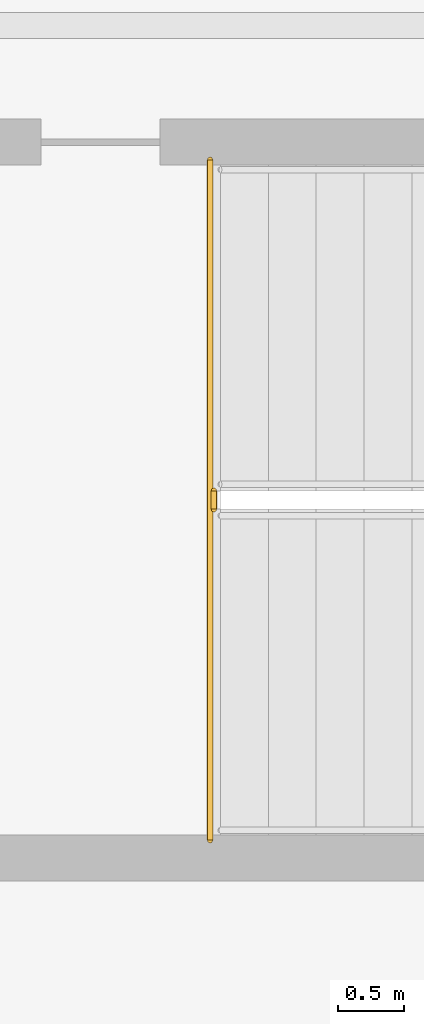
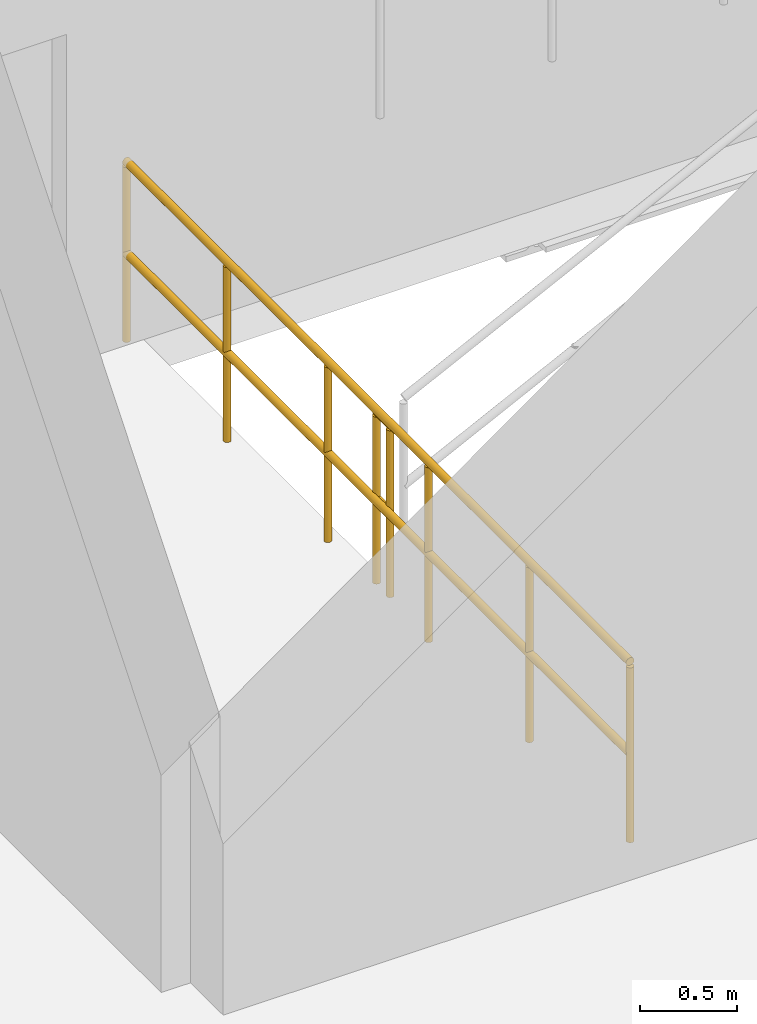
# One storey, part 118 of 129: 2 railings.
"""IFC4 building model written with IfcOpenShell, lengths in metres."""

from ifc_helpers import new_model, si_unit, direction, frame, origin, origin_2d, place, context, subcontext, project, spatial, circle, extrude, material, type_object, element, save


model = new_model("IFC4")

# Units and contexts
model_context = context("Model", 3, precision=1e-05, world=origin(), true_north=direction((0.0, 1.0)))
body_context = subcontext(model_context, "Body", "Model", "MODEL_VIEW")
ifc_project = project(units=[si_unit("LENGTHUNIT", "METRE"), si_unit("AREAUNIT", "SQUARE_METRE"), si_unit("VOLUMEUNIT", "CUBIC_METRE"), si_unit("PLANEANGLEUNIT", "RADIAN"), si_unit("MASSUNIT", "GRAM", prefix="KILO")], contexts=[model_context])

# Site, building, storey
site_placement = place(None, origin())
site = spatial("IfcSite", under=ifc_project, at=site_placement, CompositionType="ELEMENT")
building_placement = place(site_placement, origin())
building = spatial("IfcBuilding", under=site, at=building_placement, Name="Danafjord Basin Convention Centre", CompositionType="ELEMENT")
storey_placement = place(building_placement, frame((0.0, 0.0, 6.0)))
storey = spatial("IfcBuildingStorey", under=building, at=storey_placement, Name="L01", CompositionType="ELEMENT", Elevation=6.0)

# Railings
ifc_material_1 = material(Name="Laminated structural glass and stainless steel", Category="steel")
railing_type_1 = type_object("IfcRailingType", Name="RL-BAL-GLS", PredefinedType="BALUSTRADE", material=ifc_material_1)
railing_1_placement = place(storey_placement, frame((189.0, 14.97509765625, 0.0)))
element("IfcRailing", 1, at=railing_1_placement, inside=storey, type_object=railing_type_1, Name="L01 safety guard balustrade 70", PredefinedType="BALUSTRADE", context=body_context, shape_type="SweptSolid", body=[
    extrude(circle(Radius=0.02392578125, at=origin_2d()), frame((0.0, 0.0, 1.1259765625), z_axis=(0.0, -1.0, 0.0), x_axis=(1.0, 0.0, 0.0)), (0.0, 0.0, 1.0), 5.190185546875),
    extrude(circle(Radius=0.02392578125, at=origin_2d()), frame((0.0, 0.0, 0.55078125), z_axis=(0.0, -1.0, 0.0), x_axis=(1.0, 0.0, 0.0)), (0.0, 0.0, 1.0), 5.190185546875),
    extrude(circle(Radius=0.02099609375, at=origin_2d()), origin(), (0.0, 0.0, 1.0), 1.099853515625),
    extrude(circle(Radius=0.02099609375, at=origin_2d()), frame((0.0, -1.0380859375, 0.0)), (0.0, 0.0, 1.0), 1.099853515625),
    extrude(circle(Radius=0.02099609375, at=origin_2d()), frame((0.0, -2.076171875, 0.0)), (0.0, 0.0, 1.0), 1.099853515625),
    extrude(circle(Radius=0.02099609375, at=origin_2d()), frame((0.0, -3.114013671875, 0.0)), (0.0, 0.0, 1.0), 1.099853515625),
    extrude(circle(Radius=0.02099609375, at=origin_2d()), frame((0.0, -4.152099609375, 0.0)), (0.0, 0.0, 1.0), 1.099853515625),
    extrude(circle(Radius=0.02099609375, at=origin_2d()), frame((0.0, -5.190185546875, 0.0)), (0.0, 0.0, 1.0), 1.099853515625),
])
ifc_material_2 = material(Name="Galvanised steel S355", Category="steel")
railing_type_2 = type_object("IfcRailingType", Name="RL-GD-WELL", PredefinedType="BALUSTRADE", material=ifc_material_2)
railing_2_placement = place(storey_placement, frame((189.030029296875, 12.31005859375, 0.0)))
element("IfcRailing", 2, at=railing_2_placement, inside=storey, type_object=railing_type_2, Name="L01 ST-15 stair guard 4", PredefinedType="BALUSTRADE", context=body_context, shape_type="SweptSolid", body=[
    extrude(circle(Radius=0.02392578125, at=origin_2d()), frame((0.0, 0.0, 1.076171875), z_axis=(0.0, 1.0, 0.0), x_axis=(-1.0, 0.0, 0.0)), (0.0, 0.0, 1.0), 0.139892578125),
    extrude(circle(Radius=0.02392578125, at=origin_2d()), frame((0.0, 0.0, 0.52587890625), z_axis=(0.0, 1.0, 0.0), x_axis=(-1.0, 0.0, 0.0)), (0.0, 0.0, 1.0), 0.139892578125),
    extrude(circle(Radius=0.02099609375, at=origin_2d()), origin(), (0.0, 0.0, 1.0), 1.050048828125),
    extrude(circle(Radius=0.02099609375, at=origin_2d()), frame((0.0, 0.139892578125, 0.0)), (0.0, 0.0, 1.0), 1.050048828125),
])

save(model, "model.ifc")
